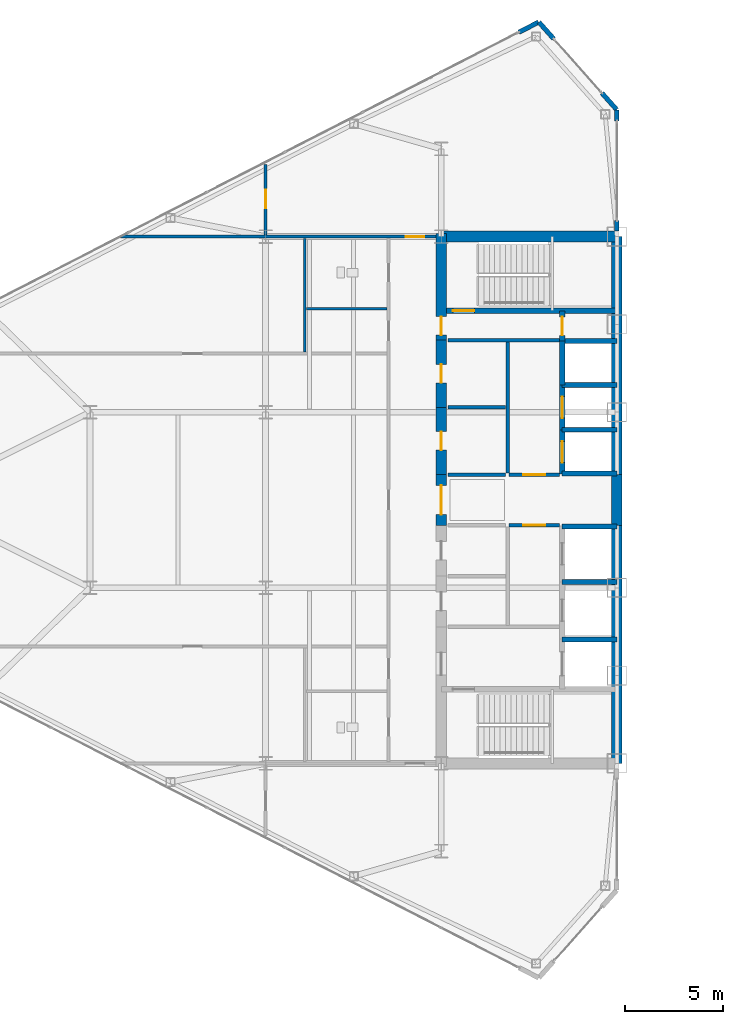
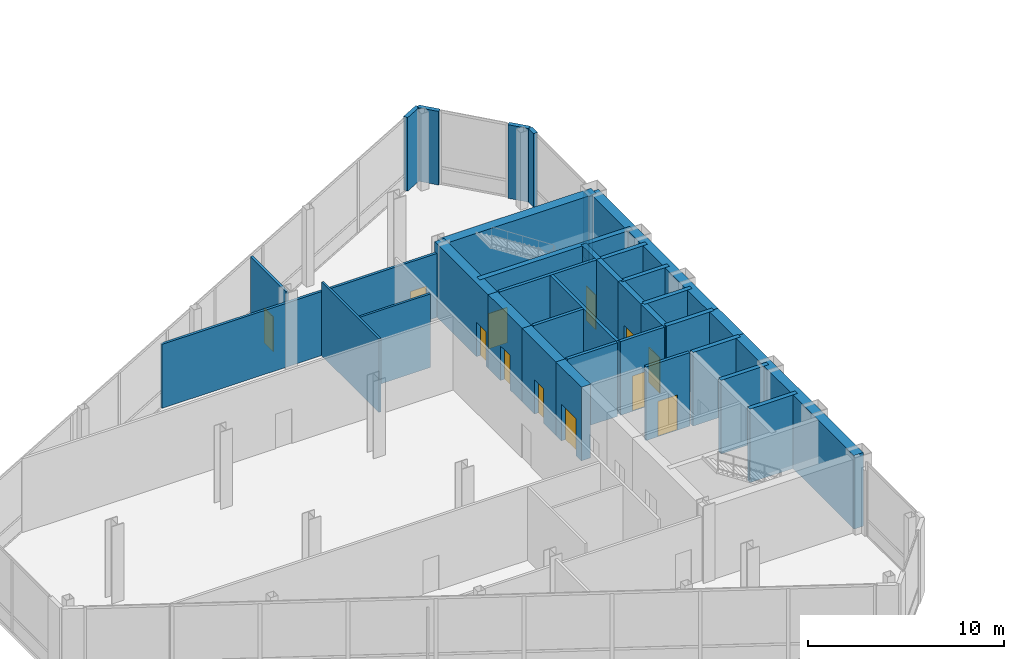
# One storey, part 17 of 22: 35 walls, 12 doors, 12 openings.
"""IFC4 building model written with IfcOpenShell, lengths in metres."""

from ifc_helpers import new_model, si_unit, direction, frame, frame_2d, origin, place, context, subcontext, project, spatial, rectangle, extrude, source, transform, mapped, material, layer, layer_set, type_object, type_shapes, element, fill, save


model = new_model("IFC4")

# Units and contexts
model_context = context("Model", 3, precision=1e-05, world=origin(), true_north=direction((0.0, 1.0)))
body_context = subcontext(model_context, "Body", "Model", "MODEL_VIEW")
ifc_project = project(units=[si_unit("LENGTHUNIT", "METRE"), si_unit("AREAUNIT", "SQUARE_METRE"), si_unit("VOLUMEUNIT", "CUBIC_METRE"), si_unit("PLANEANGLEUNIT", "RADIAN"), si_unit("MASSUNIT", "GRAM", prefix="KILO")], contexts=[model_context])

# Site, building, storey
site_placement = place(None, origin())
site = spatial("IfcSite", under=ifc_project, at=site_placement, CompositionType="ELEMENT")
building_placement = place(site_placement, origin())
building = spatial("IfcBuilding", under=site, at=building_placement, Name="Seokmaru Belvedere", CompositionType="ELEMENT")
storey_placement = place(building_placement, frame((0.0, 0.0, 135.60009765625)))
storey = spatial("IfcBuildingStorey", under=building, at=storey_placement, Name="L36", CompositionType="ELEMENT", Elevation=135.60009765625)

# Wall, opening, door
ifc_material_1 = material(Name="Fire-Rated Gypsum Shaftwall")
ifc_layer_1 = layer(ifc_material_1, 0.14990234375)
ifc_layer_set_1 = layer_set([ifc_layer_1], Name="Fire-Rated Gypsum Shaftwall")
wall_type_1 = type_object("IfcWallType", Name="Apartment Fire-Acoustic Room Partition 150", PredefinedType="PARTITIONING", material=ifc_layer_set_1)
wall_1_placement = place(storey_placement, frame((-52.947021484375, 13.5, 0.0), z_axis=(0.0, 0.0, 1.0), x_axis=(1.0, 0.0, 0.0)))
wall_1 = element("IfcWall", 1, at=wall_1_placement, inside=storey, type_object=wall_type_1, Name="L36 Interior Partition 011", PredefinedType="PARTITIONING", context=body_context, shape_type="SweptSolid", body=[
    extrude(rectangle(XDim=16.1669921875, YDim=0.14990234375, at=frame_2d((8.08349609375, 0.0))), origin(), (0.0, 0.0, 1.0), 3.97998046875),
])
opening_1_placement = place(wall_1_placement, frame((14.6220703125, 0.0, 0.0)))
opening_1 = element("IfcOpeningElement", 2, at=opening_1_placement, cuts=wall_1, Name="Opening D05", PredefinedType="OPENING", context=body_context, shape_type="SweptSolid", body=[
    extrude(rectangle(XDim=0.949951171875, YDim=2.14990234375, at=frame_2d((0.47509765625, 1.074951171875))), frame((0.0, 0.0849609375, 0.0), z_axis=(0.0, -1.0, 0.0), x_axis=(1.0, 0.0, 0.0)), (0.0, 0.0, 1.0), 0.169921875),
])
ifc_material_2 = material(Name="Engineered White Oak Timber", Category="wood")
door_type_1 = type_object("IfcDoorType", Name="Apartment Interior Fire-Rated Oak Door 950x2150", OperationType="NOTDEFINED", PredefinedType="DOOR", material=ifc_material_2)
shared_shape_1 = source(origin(), body_context, "Body", "SweptSolid", [
    extrude(rectangle(XDim=0.949951171875, YDim=2.14990234375, at=frame_2d((0.47509765625, 1.074951171875))), frame((0.0, 0.02490234375, 0.0), z_axis=(0.0, -1.0, 0.0), x_axis=(1.0, 0.0, 0.0)), (0.0, 0.0, 1.0), 0.050048828125),
])
type_shapes(door_type_1, [shared_shape_1])
door_1_placement = place(opening_1_placement, origin())
door_1 = element("IfcDoor", 3, at=door_1_placement, inside=storey, type_object=door_type_1, Name="L36 Interior Door 003", OperationType="SINGLE_SWING_LEFT", OverallHeight=2.14990234375, OverallWidth=0.949951171875, PredefinedType="DOOR", context=body_context, shape_type="MappedRepresentation", body=[
    mapped(shared_shape_1, transform((0.0, 0.0, 0.0), scale=1.0)),
])
fill(opening_1, door_1)

wall_2_placement = place(storey_placement, frame((-45.5, 13.5849609375, 0.0), z_axis=(0.0, 0.0, 1.0), x_axis=(0.0, 1.0, 0.0)))
wall_2 = element("IfcWall", 4, at=wall_2_placement, inside=storey, type_object=wall_type_1, Name="L36 Interior Partition 014", PredefinedType="PARTITIONING", context=body_context, shape_type="SweptSolid", body=[
    extrude(rectangle(XDim=3.611083984375, YDim=0.14990234375, at=frame_2d((1.8056640625, 0.0))), origin(), (0.0, 0.0, 1.0), 4.579833984375),
])
opening_2_placement = place(wall_2_placement, frame((1.36279296875, 0.0, 0.0)))
opening_2 = element("IfcOpeningElement", 5, at=opening_2_placement, cuts=wall_2, Name="Opening D05", PredefinedType="OPENING", context=body_context, shape_type="SweptSolid", body=[
    extrude(rectangle(XDim=0.949951171875, YDim=2.14990234375, at=frame_2d((0.47509765625, 1.074951171875))), frame((0.0, 0.0849609375, 0.0), z_axis=(0.0, -1.0, 0.0), x_axis=(1.0, 0.0, 0.0)), (0.0, 0.0, 1.0), 0.169921875),
])
door_2_placement = place(opening_2_placement, origin())
door_2 = element("IfcDoor", 6, at=door_2_placement, inside=storey, type_object=door_type_1, Name="L36 Interior Door 005", OperationType="SINGLE_SWING_RIGHT", OverallHeight=2.14990234375, OverallWidth=0.949951171875, PredefinedType="DOOR", context=body_context, shape_type="MappedRepresentation", body=[
    mapped(shared_shape_1, transform((0.0, 0.0, 0.0), scale=1.0)),
])
fill(opening_2, door_2)

# Walls
ifc_layer_2 = layer(ifc_material_1, 0.179931640625)
ifc_layer_set_2 = layer_set([ifc_layer_2], Name="Fire-Rated Gypsum Shaftwall")
wall_type_2 = type_object("IfcWallType", Name="Core Service Fire Partition 180", PredefinedType="PARTITIONING", material=ifc_layer_set_2)
wall_3_placement = place(storey_placement, frame((-36.14990234375, 8.199951171875, 0.0), z_axis=(0.0, 0.0, 1.0), x_axis=(1.0, 0.0, 0.0)))
element("IfcWall", 7, at=wall_3_placement, inside=storey, type_object=wall_type_2, Name="L36 West Smokeproof Vestibule Partition", PredefinedType="PARTITIONING", context=body_context, shape_type="SweptSolid", body=[
    extrude(rectangle(XDim=5.699951171875, YDim=0.179931640625, at=frame_2d((2.85009765625, 0.0))), origin(), (0.0, 0.0, 1.0), 4.579833984375),
])
wall_4_placement = place(storey_placement, frame((-33.10009765625, 1.3798828125, 0.0), z_axis=(0.0, 0.0, 1.0), x_axis=(0.0, 1.0, 0.0)))
element("IfcWall", 8, at=wall_4_placement, inside=storey, type_object=wall_type_2, Name="L36 West North Core Service Back Wall", PredefinedType="PARTITIONING", context=body_context, shape_type="SweptSolid", body=[
    extrude(rectangle(XDim=6.740234375, YDim=0.179931640625, at=frame_2d((3.3701171875, 0.0))), origin(), (0.0, 0.0, 1.0), 4.579833984375),
])

# Wall, opening, door
wall_5_placement = place(storey_placement, frame((-33.02001953125, -1.300048828125, 0.0), z_axis=(0.0, 0.0, 1.0), x_axis=(1.0, 0.0, 0.0)))
wall_5 = element("IfcWall", 9, at=wall_5_placement, inside=storey, type_object=wall_type_2, Name="L36 West South Lift Lobby Foyer Wall", PredefinedType="PARTITIONING", context=body_context, shape_type="SweptSolid", body=[
    extrude(rectangle(XDim=2.570068359375, YDim=0.179931640625, at=frame_2d((1.28515625, 0.0))), origin(), (0.0, 0.0, 1.0), 4.579833984375),
])
opening_3_placement = place(wall_5_placement, frame((0.7099609375, 0.0, 0.0)))
opening_3 = element("IfcOpeningElement", 10, at=opening_3_placement, cuts=wall_5, Name="Opening D02", PredefinedType="OPENING", context=body_context, shape_type="SweptSolid", body=[
    extrude(rectangle(XDim=1.14990234375, YDim=2.199951171875, at=frame_2d((0.574951171875, 1.10009765625))), frame((0.0, 0.10009765625, 0.0), z_axis=(0.0, -1.0, 0.0), x_axis=(1.0, 0.0, 0.0)), (0.0, 0.0, 1.0), 0.199951171875),
])
ifc_material_3 = material(Name="Fire-Rated Steel Leaf", Category="steel")
door_type_2 = type_object("IfcDoorType", Name="Lobby and Vestibule Fire Door 1150x2200", OperationType="NOTDEFINED", PredefinedType="DOOR", material=ifc_material_3)
shared_shape_2 = source(origin(), body_context, "Body", "SweptSolid", [
    extrude(rectangle(XDim=1.14990234375, YDim=2.199951171875, at=frame_2d((0.574951171875, 1.10009765625))), frame((0.0, 0.02490234375, 0.0), z_axis=(0.0, -1.0, 0.0), x_axis=(1.0, 0.0, 0.0)), (0.0, 0.0, 1.0), 0.050048828125),
])
type_shapes(door_type_2, [shared_shape_2])
door_3_placement = place(opening_3_placement, origin())
door_3 = element("IfcDoor", 11, at=door_3_placement, inside=storey, type_object=door_type_2, Name="L36 West South Core Foyer Door", OperationType="SINGLE_SWING_LEFT", OverallHeight=2.199951171875, OverallWidth=1.14990234375, PredefinedType="DOOR", context=body_context, shape_type="MappedRepresentation", body=[
    mapped(shared_shape_2, transform((0.0, 0.0, 0.0), scale=1.0)),
])
fill(opening_3, door_3)

wall_6_placement = place(storey_placement, frame((-33.02001953125, 1.300048828125, 0.0), z_axis=(0.0, 0.0, 1.0), x_axis=(1.0, 0.0, 0.0)))
wall_6 = element("IfcWall", 12, at=wall_6_placement, inside=storey, type_object=wall_type_2, Name="L36 West North Lift Lobby Foyer Wall", PredefinedType="PARTITIONING", context=body_context, shape_type="SweptSolid", body=[
    extrude(rectangle(XDim=2.570068359375, YDim=0.179931640625, at=frame_2d((1.28515625, 0.0))), origin(), (0.0, 0.0, 1.0), 4.579833984375),
])
opening_4_placement = place(wall_6_placement, frame((0.7099609375, 0.0, 0.0)))
opening_4 = element("IfcOpeningElement", 13, at=opening_4_placement, cuts=wall_6, Name="Opening D02", PredefinedType="OPENING", context=body_context, shape_type="SweptSolid", body=[
    extrude(rectangle(XDim=1.14990234375, YDim=2.199951171875, at=frame_2d((0.574951171875, 1.10009765625))), frame((0.0, 0.10009765625, 0.0), z_axis=(0.0, -1.0, 0.0), x_axis=(1.0, 0.0, 0.0)), (0.0, 0.0, 1.0), 0.199951171875),
])
door_4_placement = place(opening_4_placement, origin())
door_4 = element("IfcDoor", 14, at=door_4_placement, inside=storey, type_object=door_type_2, Name="L36 West North Lift Lobby Door", OperationType="SINGLE_SWING_RIGHT", OverallHeight=2.199951171875, OverallWidth=1.14990234375, PredefinedType="DOOR", context=body_context, shape_type="MappedRepresentation", body=[
    mapped(shared_shape_2, transform((0.0, 0.0, 0.0), scale=1.0)),
])
fill(opening_4, door_4)

# Walls
for number, where, z_axis, x_axis, name in (
    (15, (-36.14990234375, 1.300048828125, 0.0), (0.0, 0.0, 1.0), (1.0, 0.0, 0.0), "L36 West Foyer Side Wall N"),
    (16, (-36.14990234375, 4.75, 0.0), (0.0, 0.0, 1.0), (1.0, 0.0, 0.0), "L36 West Core Service Partition 2"),
):
    element("IfcWall", number, at=place(storey_placement, frame(where, z_axis=z_axis, x_axis=x_axis)), inside=storey, type_object=wall_type_2, Name=name, PredefinedType="PARTITIONING", context=body_context, shape_type="SweptSolid", body=[
        extrude(rectangle(XDim=2.949951171875, YDim=0.179931640625, at=frame_2d((1.47509765625, 0.0))), origin(), (0.0, 0.0, 1.0), 4.579833984375),
    ])
ifc_material_4 = material(Name="Concrete C50 (50 MPa)", Category="concrete")
ifc_layer_3 = layer(ifc_material_4, 0.25)
ifc_layer_set_3 = layer_set([ifc_layer_3], Name="Concrete C50 (50 MPa)")
wall_type_3 = type_object("IfcWallType", Name="Hoistway Transverse Concrete Divider Wall 250", PredefinedType="SHEAR", material=ifc_layer_set_3)
for number, where, z_axis, x_axis, name in (
    (17, (-30.300048828125, -7.14990234375, 0.0), (0.0, 0.0, 1.0), (1.0, 0.0, 0.0), "L36 West Hoistway Divider Core Wall 1"),
    (18, (-30.300048828125, -4.199951171875, 0.0), (0.0, 0.0, 1.0), (1.0, 0.0, 0.0), "L36 West Hoistway Divider Core Wall 2"),
    (19, (-30.300048828125, -1.35009765625, 0.0), (0.0, 0.0, 1.0), (1.0, 0.0, 0.0), "L36 West Hoistway Divider Core Wall 3"),
    (20, (-30.300048828125, 1.35009765625, 0.0), (0.0, 0.0, 1.0), (1.0, 0.0, 0.0), "L36 West Hoistway Divider Core Wall 4"),
    (21, (-30.300048828125, 3.60009765625, 0.0), (0.0, 0.0, 1.0), (1.0, 0.0, 0.0), "L36 West Hoistway Divider Core Wall 5"),
    (22, (-30.300048828125, 5.89990234375, 0.0), (0.0, 0.0, 1.0), (1.0, 0.0, 0.0), "L36 West Hoistway Divider Core Wall 6"),
    (23, (-30.300048828125, 8.14990234375, 0.0), (0.0, 0.0, 1.0), (1.0, 0.0, 0.0), "L36 West Hoistway Divider Core Wall 7"),
):
    element("IfcWall", number, at=place(storey_placement, frame(where, z_axis=z_axis, x_axis=x_axis)), inside=storey, type_object=wall_type_3, Name=name, PredefinedType="SHEAR", context=body_context, shape_type="SweptSolid", body=[
        extrude(rectangle(XDim=2.800048828125, YDim=0.25, at=frame_2d((1.39990234375, 0.0))), origin(), (0.0, 0.0, 1.0), 4.579833984375),
    ])

# Wall, opening, door
ifc_layer_4 = layer(ifc_material_4, 0.300048828125)
ifc_layer_set_4 = layer_set([ifc_layer_4], Name="Concrete C50 (50 MPa)")
wall_type_4 = type_object("IfcWallType", Name="Internal Core Stair and Hoistway Wall 300", PredefinedType="SHEAR", material=ifc_layer_set_4)
wall_7_placement = place(storey_placement, frame((-36.5, 9.699951171875, 0.0), z_axis=(0.0, 0.0, 1.0), x_axis=(1.0, 0.0, 0.0)))
wall_7 = element("IfcWall", 24, at=wall_7_placement, inside=storey, type_object=wall_type_4, Name="L36 West Stair ST-2 Enclosure Wall", PredefinedType="SHEAR", context=body_context, shape_type="SweptSolid", body=[
    extrude(rectangle(XDim=9.0, YDim=0.300048828125, at=frame_2d((4.5, 0.0))), origin(), (0.0, 0.0, 1.0), 4.579833984375),
])
opening_5_placement = place(wall_7_placement, frame((0.60009765625, 0.0, 0.0)))
opening_5 = element("IfcOpeningElement", 25, at=opening_5_placement, cuts=wall_7, Name="Opening D01", PredefinedType="OPENING", context=body_context, shape_type="SweptSolid", body=[
    extrude(rectangle(XDim=1.10009765625, YDim=2.199951171875, at=frame_2d((0.550048828125, 1.10009765625))), frame((0.0, 0.16015625, 0.0), z_axis=(0.0, -1.0, 0.0), x_axis=(1.0, 0.0, 0.0)), (0.0, 0.0, 1.0), 0.320068359375),
])
door_type_3 = type_object("IfcDoorType", Name="Special Escape Stair Smokeproof Fire Door 1100x2200", OperationType="NOTDEFINED", PredefinedType="DOOR", material=ifc_material_3)
shared_shape_3 = source(origin(), body_context, "Body", "SweptSolid", [
    extrude(rectangle(XDim=1.10009765625, YDim=2.199951171875, at=frame_2d((0.550048828125, 1.10009765625))), frame((0.0, 0.02490234375, 0.0), z_axis=(0.0, -1.0, 0.0), x_axis=(1.0, 0.0, 0.0)), (0.0, 0.0, 1.0), 0.050048828125),
])
type_shapes(door_type_3, [shared_shape_3])
door_5_placement = place(opening_5_placement, origin())
door_5 = element("IfcDoor", 26, at=door_5_placement, inside=storey, type_object=door_type_3, Name="L36 West Special Escape Stair ST-2 Door", OperationType="SINGLE_SWING_RIGHT", OverallHeight=2.199951171875, OverallWidth=1.10009765625, PredefinedType="DOOR", context=body_context, shape_type="MappedRepresentation", body=[
    mapped(shared_shape_3, transform((0.0, 0.0, 0.0), scale=1.0)),
])
fill(opening_5, door_5)

wall_8_placement = place(storey_placement, frame((-30.300048828125, 1.320068359375, 0.0), z_axis=(0.0, 0.0, 1.0), x_axis=(0.0, 1.0, 0.0)))
wall_8 = element("IfcWall", 27, at=wall_8_placement, inside=storey, type_object=wall_type_4, Name="L36 West North Hoistway Wall PH1", PredefinedType="SHEAR", context=body_context, shape_type="SweptSolid", body=[
    extrude(rectangle(XDim=2.280029296875, YDim=0.300048828125, at=frame_2d((1.14013671875, 0.0))), origin(), (0.0, 0.0, 1.0), 4.579833984375),
])
opening_6_placement = place(wall_8_placement, frame((0.590087890625, 0.0, 0.0)))
opening_6 = element("IfcOpeningElement", 28, at=opening_6_placement, cuts=wall_8, Name="Opening LD1", PredefinedType="OPENING", context=body_context, shape_type="SweptSolid", body=[
    extrude(rectangle(XDim=1.10009765625, YDim=2.199951171875, at=frame_2d((0.550048828125, 1.10009765625))), frame((0.0, 0.16015625, 0.0), z_axis=(0.0, -1.0, 0.0), x_axis=(1.0, 0.0, 0.0)), (0.0, 0.0, 1.0), 0.320068359375),
])
ifc_material_5 = material(Name="Stainless Steel 316", Category="steel")
door_type_4 = type_object("IfcDoorType", Name="Passenger Lift Sliding Landing Door 1100x2200", OperationType="DOUBLE_DOOR_SLIDING", PredefinedType="DOOR", material=ifc_material_5)
shared_shape_4 = source(origin(), body_context, "Body", "SweptSolid", [
    extrude(rectangle(XDim=1.10009765625, YDim=2.199951171875, at=frame_2d((0.550048828125, 1.10009765625))), frame((0.0, 0.02490234375, 0.0), z_axis=(0.0, -1.0, 0.0), x_axis=(1.0, 0.0, 0.0)), (0.0, 0.0, 1.0), 0.050048828125),
])
type_shapes(door_type_4, [shared_shape_4])
door_6_placement = place(opening_6_placement, origin())
door_6 = element("IfcDoor", 29, at=door_6_placement, inside=storey, type_object=door_type_4, Name="L36 West High-Rise Lift PH-1 Landing Door", OperationType="DOUBLE_DOOR_SLIDING", OverallHeight=2.199951171875, OverallWidth=1.10009765625, PredefinedType="DOOR", context=body_context, shape_type="MappedRepresentation", body=[
    mapped(shared_shape_4, transform((0.0, 0.0, 0.0), scale=1.0)),
])
fill(opening_6, door_6)

wall_9_placement = place(storey_placement, frame((-30.300048828125, 3.60009765625, 0.0), z_axis=(0.0, 0.0, 1.0), x_axis=(0.0, 1.0, 0.0)))
wall_9 = element("IfcWall", 30, at=wall_9_placement, inside=storey, type_object=wall_type_4, Name="L36 West North Hoistway Wall PH2", PredefinedType="SHEAR", context=body_context, shape_type="SweptSolid", body=[
    extrude(rectangle(XDim=2.2998046875, YDim=0.300048828125, at=frame_2d((1.14990234375, 0.0))), origin(), (0.0, 0.0, 1.0), 4.579833984375),
])
opening_7_placement = place(wall_9_placement, frame((0.60009765625, 0.0, 0.0)))
opening_7 = element("IfcOpeningElement", 31, at=opening_7_placement, cuts=wall_9, Name="Opening LD1", PredefinedType="OPENING", context=body_context, shape_type="SweptSolid", body=[
    extrude(rectangle(XDim=1.10009765625, YDim=2.199951171875, at=frame_2d((0.550048828125, 1.10009765625))), frame((0.0, 0.16015625, 0.0), z_axis=(0.0, -1.0, 0.0), x_axis=(1.0, 0.0, 0.0)), (0.0, 0.0, 1.0), 0.320068359375),
])
door_7_placement = place(opening_7_placement, origin())
door_7 = element("IfcDoor", 32, at=door_7_placement, inside=storey, type_object=door_type_4, Name="L36 West High-Rise Lift PH-2 Landing Door", OperationType="DOUBLE_DOOR_SLIDING", OverallHeight=2.199951171875, OverallWidth=1.10009765625, PredefinedType="DOOR", context=body_context, shape_type="MappedRepresentation", body=[
    mapped(shared_shape_4, transform((0.0, 0.0, 0.0), scale=1.0)),
])
fill(opening_7, door_7)

# Wall
wall_10_placement = place(storey_placement, frame((-30.300048828125, 5.89990234375, 0.0), z_axis=(0.0, 0.0, 1.0), x_axis=(0.0, 1.0, 0.0)))
element("IfcWall", 33, at=wall_10_placement, inside=storey, type_object=wall_type_4, Name="L36 West North Hoistway Wall OBS", PredefinedType="SHEAR", context=body_context, shape_type="SweptSolid", body=[
    extrude(rectangle(XDim=2.25, YDim=0.300048828125, at=frame_2d((1.125, 0.0))), origin(), (0.0, 0.0, 1.0), 4.579833984375),
])

# Wall, opening, door
wall_11_placement = place(storey_placement, frame((-30.300048828125, 8.14990234375, 0.0), z_axis=(0.0, 0.0, 1.0), x_axis=(0.0, 1.0, 0.0)))
wall_11 = element("IfcWall", 34, at=wall_11_placement, inside=storey, type_object=wall_type_4, Name="L36 West Electrical Riser Front Wall", PredefinedType="SHEAR", context=body_context, shape_type="SweptSolid", body=[
    extrude(rectangle(XDim=1.530029296875, YDim=0.300048828125, at=frame_2d((0.76513671875, 0.0))), origin(), (0.0, 0.0, 1.0), 4.579833984375),
])
opening_8_placement = place(wall_11_placement, frame((0.284912109375, 0.0, 0.0)))
opening_8 = element("IfcOpeningElement", 35, at=opening_8_placement, cuts=wall_11, Name="Opening D04", PredefinedType="OPENING", context=body_context, shape_type="SweptSolid", body=[
    extrude(rectangle(XDim=0.949951171875, YDim=2.14990234375, at=frame_2d((0.47509765625, 1.074951171875))), frame((0.0, 0.16015625, 0.0), z_axis=(0.0, -1.0, 0.0), x_axis=(1.0, 0.0, 0.0)), (0.0, 0.0, 1.0), 0.320068359375),
])
door_type_5 = type_object("IfcDoorType", Name="Core Service Room Fire Door 950x2150", OperationType="NOTDEFINED", PredefinedType="DOOR", material=ifc_material_3)
shared_shape_5 = source(origin(), body_context, "Body", "SweptSolid", [
    extrude(rectangle(XDim=0.949951171875, YDim=2.14990234375, at=frame_2d((0.47509765625, 1.074951171875))), frame((0.0, 0.02490234375, 0.0), z_axis=(0.0, -1.0, 0.0), x_axis=(1.0, 0.0, 0.0)), (0.0, 0.0, 1.0), 0.050048828125),
])
type_shapes(door_type_5, [shared_shape_5])
door_8_placement = place(opening_8_placement, origin())
door_8 = element("IfcDoor", 36, at=door_8_placement, inside=storey, type_object=door_type_5, Name="L36 West Electrical Riser Access Door", OperationType="SINGLE_SWING_LEFT", OverallHeight=2.14990234375, OverallWidth=0.949951171875, PredefinedType="DOOR", context=body_context, shape_type="MappedRepresentation", body=[
    mapped(shared_shape_5, transform((0.0, 0.0, 0.0), scale=1.0)),
])
fill(opening_8, door_8)

# Walls
ifc_layer_5 = layer(ifc_material_4, 0.550048828125)
ifc_layer_set_5 = layer_set([ifc_layer_5], Name="Concrete C50 (50 MPa)")
wall_type_5 = type_object("IfcWallType", Name="Mid-High Reinforced Concrete Core Wall 550", PredefinedType="SHEAR", material=ifc_layer_set_5)
for number, where, z_axis, x_axis, name in (
    (37, (-27.5, -13.5, 0.0), (0.0, 0.0, 1.0), (0.0, 1.0, 0.0), "L36 West Portal Spine Core Wall South"),
    (38, (-27.5, 1.300048828125, 0.0), (0.0, 0.0, 1.0), (0.0, 1.0, 0.0), "L36 West Portal Spine Core Wall North"),
):
    element("IfcWall", number, at=place(storey_placement, frame(where, z_axis=z_axis, x_axis=x_axis)), inside=storey, type_object=wall_type_5, Name=name, PredefinedType="SHEAR", context=body_context, shape_type="SweptSolid", body=[
        extrude(rectangle(XDim=12.199951171875, YDim=0.550048828125, at=frame_2d((6.10009765625, 0.0))), origin(), (0.0, 0.0, 1.0), 4.579833984375),
    ])
wall_12_placement = place(storey_placement, frame((-27.5, -1.300048828125, 0.0), z_axis=(0.0, 0.0, 1.0), x_axis=(0.0, 1.0, 0.0)))
element("IfcWall", 39, at=wall_12_placement, inside=storey, type_object=wall_type_5, Name="L36 West Portal Spine Core Wall Center", PredefinedType="SHEAR", context=body_context, shape_type="SweptSolid", body=[
    extrude(rectangle(XDim=2.60009765625, YDim=0.550048828125, at=frame_2d((1.300048828125, 0.0))), origin(), (0.0, 0.0, 1.0), 4.579833984375),
])
wall_13_placement = place(storey_placement, frame((-36.5, 13.5, 0.0), z_axis=(0.0, 0.0, 1.0), x_axis=(1.0, 0.0, 0.0)))
element("IfcWall", 40, at=wall_13_placement, inside=storey, type_object=wall_type_5, Name="L36 West North Core Wall", PredefinedType="SHEAR", context=body_context, shape_type="SweptSolid", body=[
    extrude(rectangle(XDim=9.0, YDim=0.550048828125, at=frame_2d((4.5, 0.0))), origin(), (0.0, 0.0, 1.0), 4.579833984375),
])

# Wall, opening, door
wall_14_placement = place(storey_placement, frame((-36.5, -1.300048828125, 0.0), z_axis=(0.0, 0.0, 1.0), x_axis=(0.0, 1.0, 0.0)))
wall_14 = element("IfcWall", 41, at=wall_14_placement, inside=storey, type_object=wall_type_5, Name="L36 West West Core Wall FOY", PredefinedType="SHEAR", context=body_context, shape_type="SweptSolid", body=[
    extrude(rectangle(XDim=2.60009765625, YDim=0.550048828125, at=frame_2d((1.300048828125, 0.0))), origin(), (0.0, 0.0, 1.0), 4.579833984375),
])
opening_9_placement = place(wall_14_placement, frame((0.550048828125, 0.0, 0.0)))
opening_9 = element("IfcOpeningElement", 42, at=opening_9_placement, cuts=wall_14, Name="Opening D08", PredefinedType="OPENING", context=body_context, shape_type="SweptSolid", body=[
    extrude(rectangle(XDim=1.5, YDim=2.300048828125, at=frame_2d((0.75, 1.14990234375))), frame((0.0, 0.28515625, 0.0), z_axis=(0.0, -1.0, 0.0), x_axis=(1.0, 0.0, 0.0)), (0.0, 0.0, 1.0), 0.570068359375),
])
door_type_6 = type_object("IfcDoorType", Name="Cross-Corridor Compartment Double Fire Door 1500x2300", OperationType="DOUBLE_SWING_LEFT", PredefinedType="DOOR", material=ifc_material_3)
shared_shape_6 = source(origin(), body_context, "Body", "SweptSolid", [
    extrude(rectangle(XDim=1.5, YDim=2.300048828125, at=frame_2d((0.75, 1.14990234375))), frame((0.0, 0.02490234375, 0.0), z_axis=(0.0, -1.0, 0.0), x_axis=(1.0, 0.0, 0.0)), (0.0, 0.0, 1.0), 0.050048828125),
])
type_shapes(door_type_6, [shared_shape_6])
door_9_placement = place(opening_9_placement, origin())
door_9 = element("IfcDoor", 43, at=door_9_placement, inside=storey, type_object=door_type_6, Name="L36 West Core Foyer Compartment Door", OperationType="DOUBLE_SWING_LEFT", OverallHeight=2.300048828125, OverallWidth=1.5, PredefinedType="DOOR", context=body_context, shape_type="MappedRepresentation", body=[
    mapped(shared_shape_6, transform((0.0, 0.0, 0.0), scale=1.0)),
])
fill(opening_9, door_9)

wall_15_placement = place(storey_placement, frame((-36.5, 8.199951171875, 0.0), z_axis=(0.0, 0.0, 1.0), x_axis=(0.0, 1.0, 0.0)))
wall_15 = element("IfcWall", 44, at=wall_15_placement, inside=storey, type_object=wall_type_5, Name="L36 West West Core Wall VST", PredefinedType="SHEAR", context=body_context, shape_type="SweptSolid", body=[
    extrude(rectangle(XDim=5.449951171875, YDim=0.550048828125, at=frame_2d((2.72509765625, 0.0))), origin(), (0.0, 0.0, 1.0), 4.579833984375),
])
opening_10_placement = place(wall_15_placement, frame((0.2451171875, 0.0, 0.0)))
opening_10 = element("IfcOpeningElement", 45, at=opening_10_placement, cuts=wall_15, Name="Opening D04", PredefinedType="OPENING", context=body_context, shape_type="SweptSolid", body=[
    extrude(rectangle(XDim=0.949951171875, YDim=2.14990234375, at=frame_2d((0.47509765625, 1.074951171875))), frame((0.0, 0.28515625, 0.0), z_axis=(0.0, -1.0, 0.0), x_axis=(1.0, 0.0, 0.0)), (0.0, 0.0, 1.0), 0.570068359375),
])
door_10_placement = place(opening_10_placement, frame((0.949951171875, 0.0, 0.0), z_axis=(0.0, 0.0, 1.0), x_axis=(-1.0, 0.0, 0.0)))
door_10 = element("IfcDoor", 46, at=door_10_placement, inside=storey, type_object=door_type_5, Name="L36 West Smokeproof Vestibule Door", OperationType="SINGLE_SWING_RIGHT", OverallHeight=2.14990234375, OverallWidth=0.949951171875, PredefinedType="DOOR", context=body_context, shape_type="MappedRepresentation", body=[
    mapped(shared_shape_5, transform((0.0, 0.0, 0.0), scale=1.0)),
])
fill(opening_10, door_10)

wall_16_placement = place(storey_placement, frame((-36.5, 1.300048828125, 0.0), z_axis=(0.0, 0.0, 1.0), x_axis=(0.0, 1.0, 0.0)))
wall_16 = element("IfcWall", 47, at=wall_16_placement, inside=storey, type_object=wall_type_5, Name="L36 West West Core Wall CS3", PredefinedType="SHEAR", context=body_context, shape_type="SweptSolid", body=[
    extrude(rectangle(XDim=3.449951171875, YDim=0.550048828125, at=frame_2d((1.72509765625, 0.0))), origin(), (0.0, 0.0, 1.0), 4.579833984375),
])
opening_11_placement = place(wall_16_placement, frame((1.25, 0.0, 0.0)))
opening_11 = element("IfcOpeningElement", 48, at=opening_11_placement, cuts=wall_16, Name="Opening D04", PredefinedType="OPENING", context=body_context, shape_type="SweptSolid", body=[
    extrude(rectangle(XDim=0.949951171875, YDim=2.14990234375, at=frame_2d((0.47509765625, 1.074951171875))), frame((0.0, 0.28515625, 0.0), z_axis=(0.0, -1.0, 0.0), x_axis=(1.0, 0.0, 0.0)), (0.0, 0.0, 1.0), 0.570068359375),
])
door_11_placement = place(opening_11_placement, origin())
door_11 = element("IfcDoor", 49, at=door_11_placement, inside=storey, type_object=door_type_5, Name="L36 West Core Service Room Door 3", OperationType="SINGLE_SWING_LEFT", OverallHeight=2.14990234375, OverallWidth=0.949951171875, PredefinedType="DOOR", context=body_context, shape_type="MappedRepresentation", body=[
    mapped(shared_shape_5, transform((0.0, 0.0, 0.0), scale=1.0)),
])
fill(opening_11, door_11)

wall_17_placement = place(storey_placement, frame((-36.5, 4.75, 0.0), z_axis=(0.0, 0.0, 1.0), x_axis=(0.0, 1.0, 0.0)))
wall_17 = element("IfcWall", 50, at=wall_17_placement, inside=storey, type_object=wall_type_5, Name="L36 West West Core Wall CS4", PredefinedType="SHEAR", context=body_context, shape_type="SweptSolid", body=[
    extrude(rectangle(XDim=3.449951171875, YDim=0.550048828125, at=frame_2d((1.72509765625, 0.0))), origin(), (0.0, 0.0, 1.0), 4.579833984375),
])
opening_12_placement = place(wall_17_placement, frame((1.25, 0.0, 0.0)))
opening_12 = element("IfcOpeningElement", 51, at=opening_12_placement, cuts=wall_17, Name="Opening D04", PredefinedType="OPENING", context=body_context, shape_type="SweptSolid", body=[
    extrude(rectangle(XDim=0.949951171875, YDim=2.14990234375, at=frame_2d((0.47509765625, 1.074951171875))), frame((0.0, 0.28515625, 0.0), z_axis=(0.0, -1.0, 0.0), x_axis=(1.0, 0.0, 0.0)), (0.0, 0.0, 1.0), 0.570068359375),
])
door_12_placement = place(opening_12_placement, origin())
door_12 = element("IfcDoor", 52, at=door_12_placement, inside=storey, type_object=door_type_5, Name="L36 West Core Service Room Door 4", OperationType="SINGLE_SWING_RIGHT", OverallHeight=2.14990234375, OverallWidth=0.949951171875, PredefinedType="DOOR", context=body_context, shape_type="MappedRepresentation", body=[
    mapped(shared_shape_5, transform((0.0, 0.0, 0.0), scale=1.0)),
])
fill(opening_12, door_12)

# Walls
ifc_layer_6 = layer(ifc_material_1, 0.1298828125)
ifc_layer_set_6 = layer_set([ifc_layer_6], Name="Fire-Rated Gypsum Shaftwall")
wall_type_6 = type_object("IfcWallType", Name="Moisture-Resistant Fire-Rated Bathroom Partition 130", PredefinedType="PARTITIONING", material=ifc_layer_set_6)
wall_18_placement = place(storey_placement, frame((-43.4150390625, 9.800048828125, 0.0), z_axis=(0.0, 0.0, 1.0), x_axis=(1.0, 0.0, 0.0)))
element("IfcWall", 53, at=wall_18_placement, inside=storey, type_object=wall_type_6, Name="L36 Interior Partition 009", PredefinedType="PARTITIONING", context=body_context, shape_type="SweptSolid", body=[
    extrude(rectangle(XDim=4.130126953125, YDim=0.1298828125, at=frame_2d((2.06494140625, 0.0))), origin(), (0.0, 0.0, 1.0), 4.579833984375),
])
wall_19_placement = place(storey_placement, frame((-43.5, 7.5849609375, 0.0), z_axis=(0.0, 0.0, 1.0), x_axis=(0.0, 1.0, 0.0)))
element("IfcWall", 54, at=wall_19_placement, inside=storey, type_object=wall_type_6, Name="L36 Interior Partition 016", PredefinedType="PARTITIONING", context=body_context, shape_type="SweptSolid", body=[
    extrude(rectangle(XDim=5.830078125, YDim=0.1298828125, at=frame_2d((2.9150390625, 0.0))), origin(), (0.0, 0.0, 1.0), 4.579833984375),
])
ifc_material_6 = material(Name="Anodised Bronze Aluminium", Category="aluminium")
ifc_layer_7 = layer(ifc_material_6, 0.239990234375)
ifc_layer_set_7 = layer_set([ifc_layer_7], Name="Anodised Bronze Aluminium")
wall_type_7 = type_object("IfcWallType", Name="Tower Corner Spandrel Closure Wall 240", PredefinedType="SOLIDWALL", material=ifc_layer_set_7)
wall_20_placement = place(storey_placement, frame((-27.5, 13.780029296875, 0.0), z_axis=(0.0, 0.0, 1.0), x_axis=(0.0, 1.0, 0.0)))
element("IfcWall", 55, at=wall_20_placement, inside=storey, type_object=wall_type_7, Name="L36 W Spine Closure Pier 2A", PredefinedType="SOLIDWALL", context=body_context, shape_type="SweptSolid", body=[
    extrude(rectangle(XDim=0.550048828125, YDim=0.239990234375, at=frame_2d((0.27490234375, 0.0))), origin(), (0.0, 0.0, 1.0), 4.079833984375),
])
wall_21_placement = place(storey_placement, frame((-27.5, 19.429931640625, 0.0), z_axis=(0.0, 0.0, 1.0), x_axis=(0.0, 1.0, 0.0)))
element("IfcWall", 56, at=wall_21_placement, inside=storey, type_object=wall_type_7, Name="L36 W Spine Closure Pier 2B", PredefinedType="SOLIDWALL", context=body_context, shape_type="SweptSolid", body=[
    extrude(rectangle(XDim=0.550048828125, YDim=0.239990234375, at=frame_2d((0.27490234375, 0.0))), origin(), (0.0, 0.0, 1.0), 4.579833984375),
])
for number, where, z_axis, x_axis, name in (
    (57, (-27.506591796875, 20.007568359375, 0.0), (0.0, 0.0, 1.0), (-0.664337252513, 0.747432950119, 0.0), "L36 W Corner Closure Pier 2A"),
    (58, (-30.736083984375, 23.640380859375, 0.0), (0.0, 0.0, 1.0), (-0.664337252513, 0.747432950119, 0.0), "L36 W Corner Closure Pier 2B"),
):
    element("IfcWall", number, at=place(storey_placement, frame(where, z_axis=z_axis, x_axis=x_axis)), inside=storey, type_object=wall_type_7, Name=name, PredefinedType="SOLIDWALL", context=body_context, shape_type="SweptSolid", body=[
        extrude(rectangle(XDim=1.139892578125, YDim=0.239990234375, at=frame_2d((0.56982421875, 0.0))), origin(), (0.0, 0.0, 1.0), 4.579833984375),
    ])
wall_22_placement = place(storey_placement, frame((-31.5087890625, 24.495361328125, 0.0), z_axis=(0.0, 0.0, 1.0), x_axis=(-0.889797395748, -0.456355776255, 0.0)))
element("IfcWall", 59, at=wall_22_placement, inside=storey, type_object=wall_type_7, Name="L36 W Corner Closure Pier 3A", PredefinedType="SOLIDWALL", context=body_context, shape_type="SweptSolid", body=[
    extrude(rectangle(XDim=1.14013671875, YDim=0.239990234375, at=frame_2d((0.570068359375, 0.0))), origin(), (0.0, 0.0, 1.0), 4.579833984375),
])

save(model, "model.ifc")
